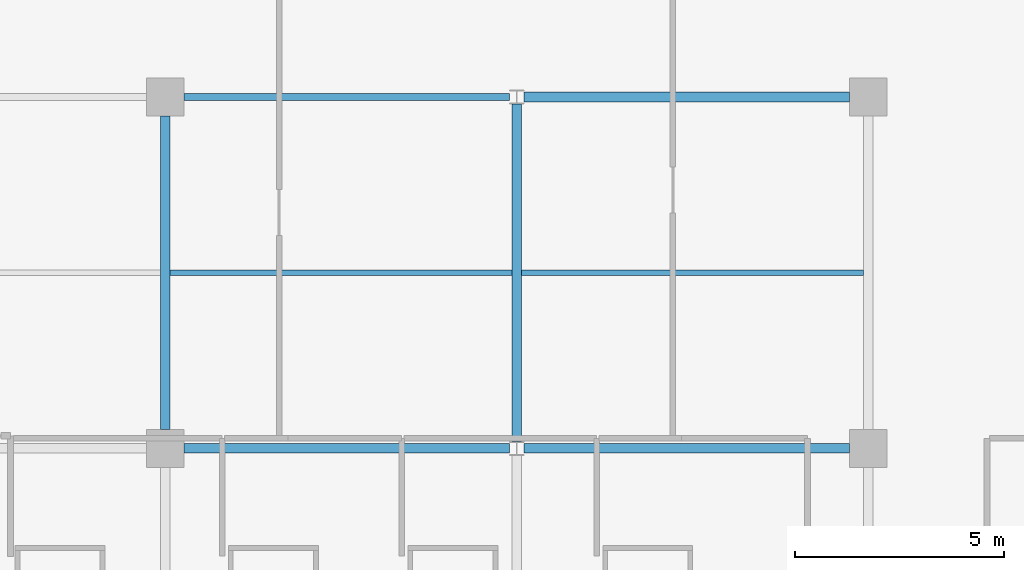
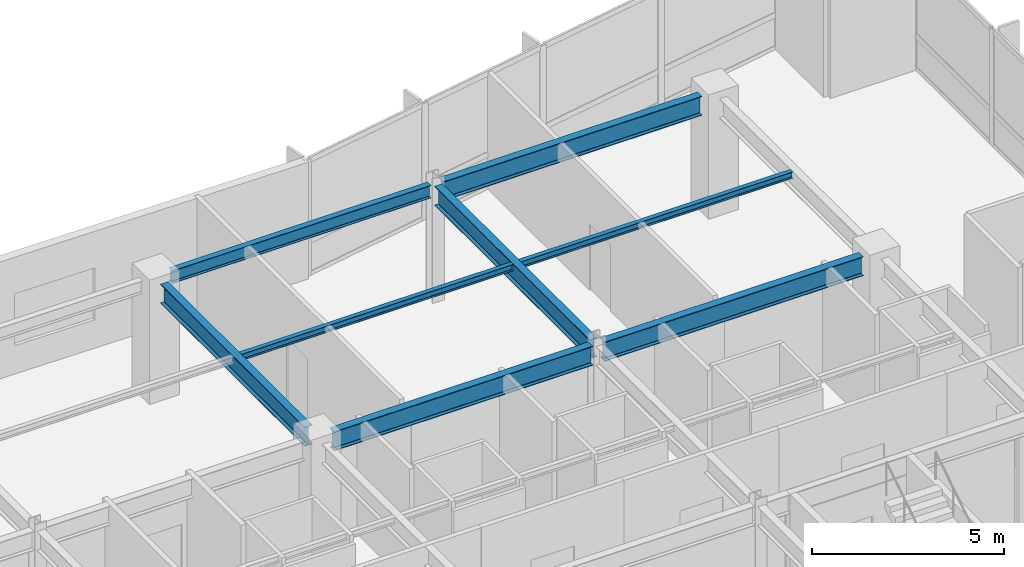
# One storey, part 6 of 21: 8 beams.
"""IFC4 building model written with IfcOpenShell, lengths in metres."""

import ifcopenshell
import ifcopenshell.guid

model = None  # the IFC model being written
_history = None  # IfcOwnerHistory: only IFC2X3 demands one
_inside = {}  # id of a spatial element -> (the spatial element, [elements in it])
_under = {}  # id of a project, library or spatial element -> (it, [spatial elements below it])
_declared = {}  # id of a project -> (the project, [libraries it declares])
_typed = {}  # id of a type object -> (the type object, [elements of that type])
_made_of = {}  # id of a material, layer set ... -> (it, [elements and type objects made of it])


def new_model(schema):
    """Start an empty IFC model of exactly this schema.

    Asked for "IFC4X3", IfcOpenShell would pick the latest addendum, in which some entities
    have other attributes; the version numbers below select the first issue.
    IFC2X3 requires an IfcOwnerHistory on every rooted entity: one is made here for all.
    """
    global model, _history
    if schema == "IFC4X3":
        model = ifcopenshell.file(schema_version=(4, 3, 0, 0))
    else:
        model = ifcopenshell.file(schema=schema)
    _inside.clear()
    _under.clear()
    _declared.clear()
    _typed.clear()
    _made_of.clear()
    _history = None
    if model.schema == "IFC2X3":
        org = make("IfcOrganization", Name="unknown")
        user = make(
            "IfcPersonAndOrganization",
            ThePerson=make("IfcPerson", FamilyName="unknown"),
            TheOrganization=org,
        )
        app = make(
            "IfcApplication",
            ApplicationDeveloper=org,
            Version="unknown",
            ApplicationFullName="unknown",
            ApplicationIdentifier="unknown",
        )
        _history = make(
            "IfcOwnerHistory",
            OwningUser=user,
            OwningApplication=app,
            ChangeAction="ADDED",
            CreationDate=0,
        )
    return model


def make(cls, **values):
    """One entity of the class cls with the attributes given. An attribute that is None is left unset."""
    return model.create_entity(
        cls, **{name: value for name, value in values.items() if value is not None}
    )


def rooted(cls, **values):
    """An entity with a GlobalId (a new one), such as an element, a storey or a relation."""
    return make(cls, GlobalId=ifcopenshell.guid.new(), OwnerHistory=_history, **values)


def si_unit(unit_type, name, prefix=None):
    """IfcSIUnit, for example si_unit("LENGTHUNIT", "METRE", prefix="MILLI")."""
    return make("IfcSIUnit", UnitType=unit_type, Prefix=prefix, Name=name)


def assignment(units):
    """IfcUnitAssignment: the units of a project."""
    return None if units is None else make("IfcUnitAssignment", Units=units)


def point(xyz):
    """IfcCartesianPoint."""
    return None if xyz is None else make("IfcCartesianPoint", Coordinates=xyz)


def direction(xyz):
    """IfcDirection."""
    return None if xyz is None else make("IfcDirection", DirectionRatios=xyz)


def frame(location, z_axis=None, x_axis=None):
    """IfcAxis2Placement3D, a coordinate frame: its origin and axes. An axis left out is left unset."""
    return make(
        "IfcAxis2Placement3D",
        Location=point(location),
        Axis=direction(z_axis),
        RefDirection=direction(x_axis),
    )


def frame_2d(location, x_axis=None):
    """IfcAxis2Placement2D, a coordinate frame in the plane: its origin and x axis."""
    return make(
        "IfcAxis2Placement2D", Location=point(location), RefDirection=direction(x_axis)
    )


def origin():
    """The frame at (0, 0, 0) with its axes left unset."""
    return frame((0.0, 0.0, 0.0))


def origin_2d():
    """The frame at (0, 0) in the plane with its x axis left unset."""
    return frame_2d((0.0, 0.0))


def place(relative_to, where):
    """IfcLocalPlacement: puts the frame where relative to a parent placement (None: the world)."""
    return make(
        "IfcLocalPlacement", PlacementRelTo=relative_to, RelativePlacement=where
    )


def context(
    kind, dimensions, precision=None, world=None, true_north=None, identifier=None
):
    """IfcGeometricRepresentationContext, for example the 3D "Model" context."""
    return make(
        "IfcGeometricRepresentationContext",
        ContextIdentifier=identifier,
        ContextType=kind,
        CoordinateSpaceDimension=dimensions,
        Precision=precision,
        WorldCoordinateSystem=world,
        TrueNorth=true_north,
    )


def subcontext(parent, identifier, kind, view, scale=None):
    """IfcGeometricRepresentationSubContext, for example "Body" below "Model"."""
    return make(
        "IfcGeometricRepresentationSubContext",
        ContextIdentifier=identifier,
        ContextType=kind,
        ParentContext=parent,
        TargetScale=scale,
        TargetView=view,
    )


def project(units=None, contexts=None):
    """IfcProject with its units and contexts."""
    return rooted(
        "IfcProject",
        Name="project",
        RepresentationContexts=contexts,
        UnitsInContext=assignment(units),
    )


def spatial(cls, under=None, at=None, **own):
    """A site, building, storey or space (cls), placed at a placement, below another one or the project."""
    s = rooted(cls, ObjectPlacement=at, **own)
    if under is not None:
        _under.setdefault(under.id(), (under, []))[1].append(s)
    return s


def profile(cls, at=None, kind="AREA", **sizes):
    """A parametric profile (cls). Its sizes go by their IFC names, for example OverallWidth=200.0."""
    return make(cls, ProfileType=kind, Position=at, **sizes)


def i_section(**sizes):
    """IfcIShapeProfileDef."""
    return profile("IfcIShapeProfileDef", **sizes)


def extrude(swept, where, along, depth):
    """IfcExtrudedAreaSolid: the profile swept, set in the frame where, extruded along a direction by depth."""
    return make(
        "IfcExtrudedAreaSolid",
        SweptArea=swept,
        Position=where,
        ExtrudedDirection=direction(along),
        Depth=depth,
    )


def shape(context_of_items, identifier, shape_type, items):
    """IfcShapeRepresentation: the items that make up one representation, for example the "Body"."""
    return make(
        "IfcShapeRepresentation",
        ContextOfItems=context_of_items,
        RepresentationIdentifier=identifier,
        RepresentationType=shape_type,
        Items=items,
    )


def material(Name=None, Category=None):
    """IfcMaterial."""
    return make("IfcMaterial", Name=Name, Category=Category)


def material_profile(
    of_material, cross_section, Name=None, Category=None, Priority=None
):
    """IfcMaterialProfile: a cross section and its material."""
    return make(
        "IfcMaterialProfile",
        Name=Name,
        Material=of_material,
        Profile=cross_section,
        Priority=Priority,
        Category=Category,
    )


def profile_set(profiles, Name=None, composite=None):
    """IfcMaterialProfileSet."""
    return make(
        "IfcMaterialProfileSet",
        Name=Name,
        MaterialProfiles=profiles,
        CompositeProfile=composite,
    )


def made_of(thing, what):
    """Note that an element or type object is made of a material, layer set ...; save() writes the relation."""
    if what is not None:
        _made_of.setdefault(what.id(), (what, []))[1].append(thing)
    return thing


def type_object(cls, material=None, **own):
    """A type object (cls), such as IfcWallType, which elements share."""
    return made_of(rooted(cls, **own), material)


def element(
    cls,
    number,
    at=None,
    inside=None,
    cuts=None,
    type_object=None,
    material=None,
    context=None,
    identifier="Body",
    shape_type=None,
    held_by="IfcProductDefinitionShape",
    body=None,
    shapes=None,
    **own,
):
    """One element of the class cls, such as IfcWall. Its Tag is "e" and its number.

    at: its placement. inside: the storey or other place that contains it. cuts: it is an
    opening in that element (IfcRelVoidsElement). A single representation is given by context,
    identifier, shape_type and body (its items); several are given by shapes. held_by: the class
    of the entity that holds the representations. save() writes the other relations.
    """
    e = rooted(cls, Tag="e%d" % number, ObjectPlacement=at, **own)
    if body is not None:
        shapes = [shape(context, identifier, shape_type, body)]
    if shapes is not None:
        e.Representation = make(held_by, Representations=shapes)
    if inside is not None:
        _inside.setdefault(inside.id(), (inside, []))[1].append(e)
    if cuts is not None:
        rooted(
            "IfcRelVoidsElement", RelatingBuildingElement=cuts, RelatedOpeningElement=e
        )
    if type_object is not None:
        _typed.setdefault(type_object.id(), (type_object, []))[1].append(e)
    return made_of(e, material)


def aggregate(whole, parts):
    """IfcRelAggregates: a whole, such as a stair, and the parts it consists of."""
    return rooted("IfcRelAggregates", RelatingObject=whole, RelatedObjects=parts)


def save(model, path):
    """Write the relations noted so far, then the file.

    IfcRelAggregates (storeys below a building ...), IfcRelContainedInSpatialStructure (elements
    in a storey), IfcRelDefinesByType, IfcRelAssociatesMaterial and IfcRelDeclares: one each for
    every whole, place, type object, material and project.
    """
    for whole, parts in _under.values():
        aggregate(whole, parts)
    for where, things in _inside.values():
        rooted(
            "IfcRelContainedInSpatialStructure",
            RelatedElements=things,
            RelatingStructure=where,
        )
    for kind, things in _typed.values():
        rooted("IfcRelDefinesByType", RelatedObjects=things, RelatingType=kind)
    for what, things in _made_of.values():
        rooted("IfcRelAssociatesMaterial", RelatedObjects=things, RelatingMaterial=what)
    for by, libraries in _declared.values():
        rooted("IfcRelDeclares", RelatingContext=by, RelatedDefinitions=libraries)
    model.write(path)


model = new_model("IFC4")

# Units and contexts
model_context = context("Model", 3, precision=1e-05, world=origin(), true_north=direction((0.0, 1.0)))
body_context = subcontext(model_context, "Body", "Model", "MODEL_VIEW")
ifc_project = project(units=[si_unit("LENGTHUNIT", "METRE"), si_unit("AREAUNIT", "SQUARE_METRE"), si_unit("VOLUMEUNIT", "CUBIC_METRE"), si_unit("PLANEANGLEUNIT", "RADIAN"), si_unit("MASSUNIT", "GRAM", prefix="KILO")], contexts=[model_context])

# Site, building, storey
site_placement = place(None, origin())
site = spatial("IfcSite", under=ifc_project, at=site_placement, CompositionType="ELEMENT")
building_placement = place(site_placement, origin())
building = spatial("IfcBuilding", under=site, at=building_placement, Name="Varnakote Quay Hospital", CompositionType="ELEMENT")
storey_placement = place(building_placement, frame((0.0, 0.0, 34.35009765625)))
storey = spatial("IfcBuildingStorey", under=building, at=storey_placement, Name="L08", CompositionType="ELEMENT", Elevation=34.35009765625)

# Beams
ifc_material_1 = material(Name="Structural steel AS/NZS 3679.1 Grade 350 L0 (fy 340 MPa)", Category="steel")
ifc_material_profile_1 = material_profile(ifc_material_1, i_section(OverallWidth=0.22900390625, OverallDepth=0.612060546875, WebThickness=0.011962890625, FlangeThickness=0.01953125, FilletRadius=0.013916015625, at=origin_2d()), Name="610UB125")
ifc_profile_set_1 = profile_set([ifc_material_profile_1], Name="Structural steel AS/NZS 3679.1 Grade 350 L0 (fy 340 MPa)")
beam_type_1 = type_object("IfcBeamType", Name="BM-STL-610UB125", PredefinedType="BEAM", material=ifc_profile_set_1)
for number, where, z_axis, x_axis, name in (
    (1, (34.050048828125, 20.39990234375, 3.40380859375), (1.0, 0.0, 0.0), (0.0, 1.0, 0.0), "L08 Primary Floor Beam"),
    (2, (42.175048828125, 20.39990234375, 3.40380859375), (1.0, 0.0, 0.0), (0.0, 1.0, 0.0), "L08 Primary Floor Beam"),
    (3, (42.175048828125, 28.800048828125, 3.40380859375), (1.0, 0.0, 0.0), (0.0, 1.0, 0.0), "L08 Primary Floor Beam"),
):
    element("IfcBeam", number, at=place(storey_placement, frame(where, z_axis=z_axis, x_axis=x_axis)), inside=storey, type_object=beam_type_1, Name=name, PredefinedType="BEAM", context=body_context, shape_type="SweptSolid", body=[
        extrude(i_section(OverallWidth=0.22900390625, OverallDepth=0.612060546875, WebThickness=0.011962890625, FlangeThickness=0.01953125, FilletRadius=0.013916015625, at=origin_2d()), origin(), (0.0, 0.0, 1.0), 7.77490234375),
    ])
beam_1_placement = place(storey_placement, frame((33.60009765625, 20.85009765625, 3.40380859375), z_axis=(0.0, 1.0, 0.0), x_axis=(-1.0, 0.0, 0.0)))
element("IfcBeam", 4, at=beam_1_placement, inside=storey, type_object=beam_type_1, Name="L08 Primary Tie Beam", PredefinedType="BEAM", context=body_context, shape_type="SweptSolid", body=[
    extrude(i_section(OverallWidth=0.22900390625, OverallDepth=0.612060546875, WebThickness=0.011962890625, FlangeThickness=0.01953125, FilletRadius=0.013916015625, at=origin_2d()), origin(), (0.0, 0.0, 1.0), 7.5),
])
beam_2_placement = place(storey_placement, frame((42.0, 20.570068359375, 3.40380859375), z_axis=(0.0, 1.0, 0.0), x_axis=(-1.0, 0.0, 0.0)))
element("IfcBeam", 5, at=beam_2_placement, inside=storey, type_object=beam_type_1, Name="L08 Primary Tie Beam", PredefinedType="BEAM", context=body_context, shape_type="SweptSolid", body=[
    extrude(i_section(OverallWidth=0.22900390625, OverallDepth=0.612060546875, WebThickness=0.011962890625, FlangeThickness=0.01953125, FilletRadius=0.013916015625, at=origin_2d()), origin(), (0.0, 0.0, 1.0), 8.059814453125),
])
ifc_material_2 = material(Name="Structural steel AS/NZS 3679.1 Grade 350 L0 (fy 340 MPa)", Category="steel")
ifc_material_profile_2 = material_profile(ifc_material_2, i_section(OverallWidth=0.134033203125, OverallDepth=0.20703125, WebThickness=0.00634765625, FlangeThickness=0.009521484375, FilletRadius=0.0087890625, at=origin_2d()), Name="200UB29.8")
ifc_profile_set_2 = profile_set([ifc_material_profile_2], Name="Structural steel AS/NZS 3679.1 Grade 350 L0 (fy 340 MPa)")
beam_type_2 = type_object("IfcBeamType", Name="JST-STL-200UB29-8", PredefinedType="JOIST", material=ifc_profile_set_2)
for number, where, z_axis, x_axis, name in (
    (6, (33.714599609375, 24.60009765625, 3.6064453125), (1.0, 0.0, 0.0), (0.0, 1.0, 0.0), "L08 Composite Floor Joist"),
    (7, (42.114501953125, 24.60009765625, 3.6064453125), (1.0, 0.0, 0.0), (0.0, 1.0, 0.0), "L08 Composite Floor Joist"),
):
    element("IfcBeam", number, at=place(storey_placement, frame(where, z_axis=z_axis, x_axis=x_axis)), inside=storey, type_object=beam_type_2, Name=name, PredefinedType="JOIST", context=body_context, shape_type="SweptSolid", body=[
        extrude(i_section(OverallWidth=0.134033203125, OverallDepth=0.20703125, WebThickness=0.00634765625, FlangeThickness=0.009521484375, FilletRadius=0.0087890625, at=origin_2d()), origin(), (0.0, 0.0, 1.0), 8.1708984375),
    ])
ifc_material_3 = material(Name="Structural steel AS/NZS 3679.1 Grade 350 L0 (fy 340 MPa)", Category="steel")
ifc_material_profile_3 = material_profile(ifc_material_3, i_section(OverallWidth=0.177978515625, OverallDepth=0.406005859375, WebThickness=0.0078125, FlangeThickness=0.0126953125, FilletRadius=0.011474609375, at=origin_2d()), Name="410UB59.7")
ifc_profile_set_3 = profile_set([ifc_material_profile_3], Name="Structural steel AS/NZS 3679.1 Grade 350 L0 (fy 340 MPa)")
beam_type_3 = type_object("IfcBeamType", Name="SPN-STL-410UB59-7", PredefinedType="SPANDREL", material=ifc_profile_set_3)
beam_3_placement = place(storey_placement, frame((34.050048828125, 28.800048828125, 3.5068359375), z_axis=(1.0, 0.0, 0.0), x_axis=(0.0, 1.0, 0.0)))
element("IfcBeam", 8, at=beam_3_placement, inside=storey, type_object=beam_type_3, Name="L08 Perimeter Spandrel Beam", PredefinedType="SPANDREL", context=body_context, shape_type="SweptSolid", body=[
    extrude(i_section(OverallWidth=0.177978515625, OverallDepth=0.406005859375, WebThickness=0.0078125, FlangeThickness=0.0126953125, FilletRadius=0.011474609375, at=origin_2d()), origin(), (0.0, 0.0, 1.0), 7.77490234375),
])

save(model, "model.ifc")
